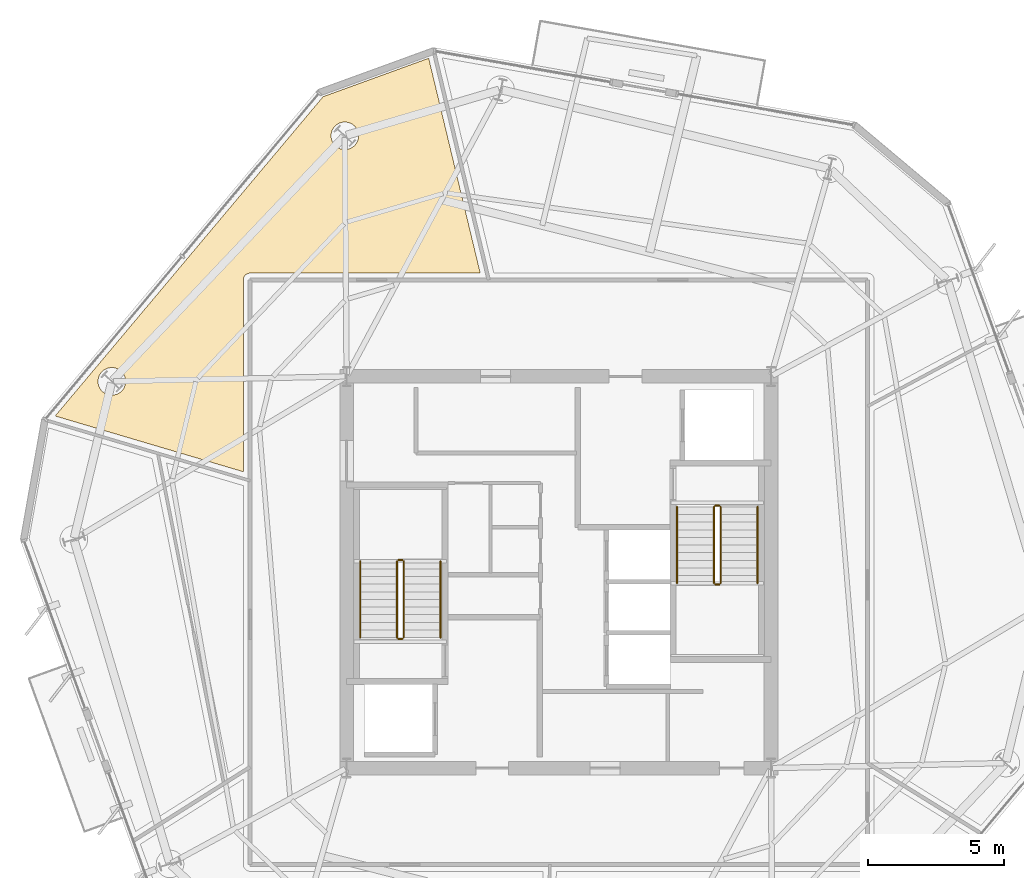
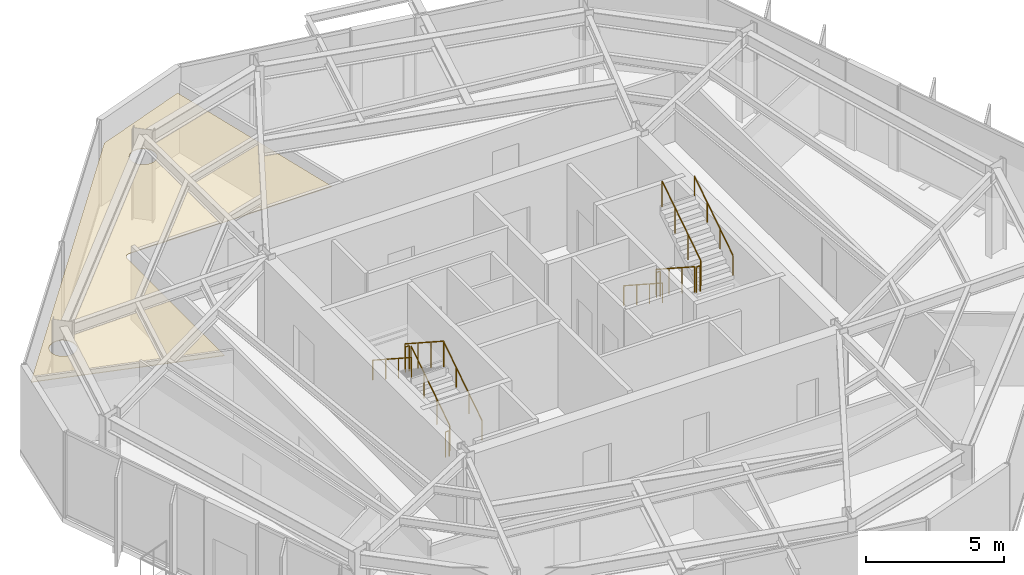
# One storey, part 10 of 11: 12 railings, 1 covering.
"""IFC4 building model written with IfcOpenShell, lengths in metres."""

from ifc_helpers import new_model, si_unit, direction, frame, origin, origin_2d, place, context, subcontext, project, spatial, polyline, circle, outline, extrude, material, layer, layer_set, type_object, element, save


model = new_model("IFC4")

# Units and contexts
model_context = context("Model", 3, precision=1e-05, world=origin(), true_north=direction((0.0, 1.0)))
body_context = subcontext(model_context, "Body", "Model", "MODEL_VIEW")
ifc_project = project(units=[si_unit("LENGTHUNIT", "METRE"), si_unit("AREAUNIT", "SQUARE_METRE"), si_unit("VOLUMEUNIT", "CUBIC_METRE"), si_unit("PLANEANGLEUNIT", "RADIAN"), si_unit("MASSUNIT", "GRAM", prefix="KILO")], contexts=[model_context])

# Site, building, storey
site_placement = place(None, origin())
site = spatial("IfcSite", under=ifc_project, at=site_placement, CompositionType="ELEMENT")
building_placement = place(site_placement, origin())
building = spatial("IfcBuilding", under=site, at=building_placement, Name="Kranzbogen Civic Tower", CompositionType="ELEMENT")
storey_placement = place(building_placement, frame((0.0, 0.0, 224.800048828125)))
storey = spatial("IfcBuildingStorey", under=building, at=storey_placement, Name="L54", CompositionType="ELEMENT", Elevation=224.800048828125)

# Railings
ifc_material_1 = material(Name="Steel S355", Category="steel")
railing_type_1 = type_object("IfcRailingType", Name="Internal Stair and Void Steel Guardrail 1150", PredefinedType="GUARDRAIL", material=ifc_material_1)
railing_1_placement = place(storey_placement, frame((19.300048828125, 22.60009765625, 0.181884765625)))
element("IfcRailing", 1, at=railing_1_placement, inside=storey, type_object=railing_type_1, Name="L54 ST-T1 stair guard 1", PredefinedType="GUARDRAIL", context=body_context, shape_type="SweptSolid", body=[
    extrude(circle(Radius=0.02392578125, at=origin_2d()), frame((0.0, 0.0, 1.1259765625), z_axis=(0.0, 0.83868413941, 0.544618136222), x_axis=(-1.0, 0.0, 0.0)), (0.0, 0.0, 1.0), 3.33837890625),
    extrude(circle(Radius=0.02099609375, at=origin_2d()), origin(), (0.0, 0.0, 1.0), 1.101806640625),
    extrude(circle(Radius=0.02099609375, at=origin_2d()), frame((0.0, 0.933349609375, 0.60595703125)), (0.0, 0.0, 1.0), 1.101806640625),
    extrude(circle(Radius=0.02099609375, at=origin_2d()), frame((0.0, 1.866455078125, 1.212158203125)), (0.0, 0.0, 1.0), 1.101806640625),
    extrude(circle(Radius=0.02099609375, at=origin_2d()), frame((0.0, 2.7998046875, 1.818115234375)), (0.0, 0.0, 1.0), 1.101806640625),
])
railing_2_placement = place(storey_placement, frame((19.25, 25.449951171875, 2.0)))
element("IfcRailing", 2, at=railing_2_placement, inside=storey, type_object=railing_type_1, Name="L54 ST-T1 stair guard 2", PredefinedType="GUARDRAIL", context=body_context, shape_type="SweptSolid", body=[
    extrude(circle(Radius=0.02392578125, at=origin_2d()), frame((0.0, 0.0, 1.1259765625), z_axis=(-1.0, 0.0, 0.0), x_axis=(0.0, -1.0, 0.0)), (0.0, 0.0, 1.0), 0.14990234375),
    extrude(circle(Radius=0.02099609375, at=origin_2d()), origin(), (0.0, 0.0, 1.0), 1.101806640625),
    extrude(circle(Radius=0.02099609375, at=origin_2d()), frame((-0.14990234375, 0.0, 0.0)), (0.0, 0.0, 1.0), 1.101806640625),
])
railing_3_placement = place(storey_placement, frame((19.050048828125, 25.39990234375, 2.181884765625)))
element("IfcRailing", 3, at=railing_3_placement, inside=storey, type_object=railing_type_1, Name="L54 ST-T1 stair guard 3", PredefinedType="GUARDRAIL", context=body_context, shape_type="SweptSolid", body=[
    extrude(circle(Radius=0.02392578125, at=origin_2d()), frame((0.0, 0.0, 1.1259765625), z_axis=(0.0, -0.83868413941, 0.544618136222), x_axis=(1.0, 0.0, 0.0)), (0.0, 0.0, 1.0), 3.33837890625),
    extrude(circle(Radius=0.02099609375, at=origin_2d()), origin(), (0.0, 0.0, 1.0), 1.101806640625),
    extrude(circle(Radius=0.02099609375, at=origin_2d()), frame((0.0, -0.933349609375, 0.60595703125)), (0.0, 0.0, 1.0), 1.101806640625),
    extrude(circle(Radius=0.02099609375, at=origin_2d()), frame((0.0, -1.866455078125, 1.212158203125)), (0.0, 0.0, 1.0), 1.101806640625),
    extrude(circle(Radius=0.02099609375, at=origin_2d()), frame((0.0, -2.7998046875, 1.818115234375)), (0.0, 0.0, 1.0), 1.101806640625),
])
railing_4_placement = place(storey_placement, frame((19.25, 22.550048828125, 0.0)))
element("IfcRailing", 4, at=railing_4_placement, inside=storey, type_object=railing_type_1, Name="L54 ST-T1 stair guard 4", PredefinedType="GUARDRAIL", context=body_context, shape_type="SweptSolid", body=[
    extrude(circle(Radius=0.02392578125, at=origin_2d()), frame((0.0, 0.0, 1.1259765625), z_axis=(-1.0, 0.0, 0.0), x_axis=(0.0, -1.0, 0.0)), (0.0, 0.0, 1.0), 0.14990234375),
    extrude(circle(Radius=0.02099609375, at=origin_2d()), origin(), (0.0, 0.0, 1.0), 1.101806640625),
    extrude(circle(Radius=0.02099609375, at=origin_2d()), frame((-0.14990234375, 0.0, 0.0)), (0.0, 0.0, 1.0), 1.101806640625),
])
railing_5_placement = place(storey_placement, frame((30.699951171875, 27.39990234375, 0.181884765625)))
element("IfcRailing", 5, at=railing_5_placement, inside=storey, type_object=railing_type_1, Name="L54 ST-T2 stair guard 1", PredefinedType="GUARDRAIL", context=body_context, shape_type="SweptSolid", body=[
    extrude(circle(Radius=0.02392578125, at=origin_2d()), frame((0.0, 0.0, 1.1259765625), z_axis=(0.0, -0.83868413941, 0.544618136222), x_axis=(1.0, 0.0, 0.0)), (0.0, 0.0, 1.0), 3.33837890625),
    extrude(circle(Radius=0.02099609375, at=origin_2d()), origin(), (0.0, 0.0, 1.0), 1.101806640625),
    extrude(circle(Radius=0.02099609375, at=origin_2d()), frame((0.0, -0.933349609375, 0.60595703125)), (0.0, 0.0, 1.0), 1.101806640625),
    extrude(circle(Radius=0.02099609375, at=origin_2d()), frame((0.0, -1.866455078125, 1.212158203125)), (0.0, 0.0, 1.0), 1.101806640625),
    extrude(circle(Radius=0.02099609375, at=origin_2d()), frame((0.0, -2.7998046875, 1.818115234375)), (0.0, 0.0, 1.0), 1.101806640625),
])
railing_6_placement = place(storey_placement, frame((30.75, 24.550048828125, 2.0)))
element("IfcRailing", 6, at=railing_6_placement, inside=storey, type_object=railing_type_1, Name="L54 ST-T2 stair guard 2", PredefinedType="GUARDRAIL", context=body_context, shape_type="SweptSolid", body=[
    extrude(circle(Radius=0.02392578125, at=origin_2d()), frame((0.0, 0.0, 1.1259765625), z_axis=(1.0, 0.0, 0.0), x_axis=(0.0, 1.0, 0.0)), (0.0, 0.0, 1.0), 0.14990234375),
    extrude(circle(Radius=0.02099609375, at=origin_2d()), origin(), (0.0, 0.0, 1.0), 1.101806640625),
    extrude(circle(Radius=0.02099609375, at=origin_2d()), frame((0.14990234375, 0.0, 0.0)), (0.0, 0.0, 1.0), 1.101806640625),
])
railing_7_placement = place(storey_placement, frame((30.949951171875, 24.60009765625, 2.181884765625)))
element("IfcRailing", 7, at=railing_7_placement, inside=storey, type_object=railing_type_1, Name="L54 ST-T2 stair guard 3", PredefinedType="GUARDRAIL", context=body_context, shape_type="SweptSolid", body=[
    extrude(circle(Radius=0.02392578125, at=origin_2d()), frame((0.0, 0.0, 1.1259765625), z_axis=(0.0, 0.83868413941, 0.544618136222), x_axis=(-1.0, 0.0, 0.0)), (0.0, 0.0, 1.0), 3.33837890625),
    extrude(circle(Radius=0.02099609375, at=origin_2d()), origin(), (0.0, 0.0, 1.0), 1.101806640625),
    extrude(circle(Radius=0.02099609375, at=origin_2d()), frame((0.0, 0.933349609375, 0.60595703125)), (0.0, 0.0, 1.0), 1.101806640625),
    extrude(circle(Radius=0.02099609375, at=origin_2d()), frame((0.0, 1.866455078125, 1.212158203125)), (0.0, 0.0, 1.0), 1.101806640625),
    extrude(circle(Radius=0.02099609375, at=origin_2d()), frame((0.0, 2.7998046875, 1.818115234375)), (0.0, 0.0, 1.0), 1.101806640625),
])
railing_8_placement = place(storey_placement, frame((30.75, 27.449951171875, 0.0)))
element("IfcRailing", 8, at=railing_8_placement, inside=storey, type_object=railing_type_1, Name="L54 ST-T2 stair guard 4", PredefinedType="GUARDRAIL", context=body_context, shape_type="SweptSolid", body=[
    extrude(circle(Radius=0.02392578125, at=origin_2d()), frame((0.0, 0.0, 1.1259765625), z_axis=(1.0, 0.0, 0.0), x_axis=(0.0, 1.0, 0.0)), (0.0, 0.0, 1.0), 0.14990234375),
    extrude(circle(Radius=0.02099609375, at=origin_2d()), origin(), (0.0, 0.0, 1.0), 1.101806640625),
    extrude(circle(Radius=0.02099609375, at=origin_2d()), frame((0.14990234375, 0.0, 0.0)), (0.0, 0.0, 1.0), 1.101806640625),
])

# Covering
ifc_material_2 = material(Name="Perforated Acoustic Gypsum Ceiling")
ifc_layer = layer(ifc_material_2, 0.02490234375, Name="Perforated Acoustic Gypsum Ceiling")
ifc_layer_set = layer_set([ifc_layer], Name="Perforated Acoustic Gypsum Ceiling")
covering_type = type_object("IfcCoveringType", Name="Perforated Acoustic Mineral Ceiling Tile 25 mm", PredefinedType="CEILING", material=ifc_layer_set)
covering_placement = place(storey_placement, frame((0.0, 0.0, 2.75)))
element("IfcCovering", 9, at=covering_placement, inside=storey, type_object=covering_type, Name="L54 Civic Reference Library acoustic ceiling", PredefinedType="CEILING", context=body_context, shape_type="SweptSolid", body=[
    extrude(outline(polyline([(20.216064453125, 43.89501953125), (22.111083984375, 35.9951171875), (13.64990234375, 35.9951171875), (13.64111328125, 35.9951171875), (13.635009765625, 35.993896484375), (13.616943359375, 35.992919921875), (13.611083984375, 35.991943359375), (13.593994140625, 35.988037109375), (13.5869140625, 35.987060546875), (13.570068359375, 35.98193359375), (13.56396484375, 35.97998046875), (13.548095703125, 35.972900390625), (13.5419921875, 35.969970703125), (13.527099609375, 35.9619140625), (13.52099609375, 35.9580078125), (13.507080078125, 35.948974609375), (13.501953125, 35.945068359375), (13.488037109375, 35.93408203125), (13.48291015625, 35.928955078125), (13.470947265625, 35.9169921875), (13.466064453125, 35.912109375), (13.455078125, 35.89794921875), (13.450927734375, 35.89306640625), (13.44189453125, 35.87890625), (13.43798828125, 35.873046875), (13.429931640625, 35.85791015625), (13.427001953125, 35.85205078125), (13.419921875, 35.8359375), (13.41796875, 35.830078125), (13.4130859375, 35.81298828125), (13.412109375, 35.805908203125), (13.407958984375, 35.7890625), (13.406982421875, 35.782958984375), (13.406005859375, 35.764892578125), (13.405029296875, 35.759033203125), (13.405029296875, 35.75), (13.405029296875, 28.693115234375), (6.485107421875, 30.743896484375), (16.3349609375, 42.48193359375), (20.216064453125, 43.89501953125)]), holes=[polyline([(9.035888671875, 31.822021484375), (9.013916015625, 31.777099609375), (8.989013671875, 31.73388671875), (8.958984375, 31.694091796875), (8.926025390625, 31.656982421875), (8.888916015625, 31.6240234375), (8.84912109375, 31.593994140625), (8.805908203125, 31.569091796875), (8.760986328125, 31.547119140625), (8.714111328125, 31.531005859375), (8.666015625, 31.51904296875), (8.616943359375, 31.510986328125), (8.56689453125, 31.509033203125), (8.51708984375, 31.510986328125), (8.468017578125, 31.51904296875), (8.419921875, 31.531005859375), (8.373046875, 31.547119140625), (8.327880859375, 31.569091796875), (8.284912109375, 31.593994140625), (8.2451171875, 31.6240234375), (8.2080078125, 31.656982421875), (8.175048828125, 31.694091796875), (8.14501953125, 31.73388671875), (8.1201171875, 31.777099609375), (8.097900390625, 31.822021484375), (8.08203125, 31.868896484375), (8.070068359375, 31.9169921875), (8.06201171875, 31.966064453125), (8.06005859375, 32.01611328125), (8.06201171875, 32.06591796875), (8.070068359375, 32.114990234375), (8.08203125, 32.1630859375), (8.097900390625, 32.2099609375), (8.1201171875, 32.2548828125), (8.14501953125, 32.298095703125), (8.175048828125, 32.337890625), (8.2080078125, 32.375), (8.2451171875, 32.407958984375), (8.284912109375, 32.43798828125), (8.327880859375, 32.462890625), (8.373046875, 32.485107421875), (8.419921875, 32.5009765625), (8.468017578125, 32.512939453125), (8.51708984375, 32.52099609375), (8.56689453125, 32.52294921875), (8.616943359375, 32.52099609375), (8.666015625, 32.512939453125), (8.714111328125, 32.5009765625), (8.760986328125, 32.485107421875), (8.805908203125, 32.462890625), (8.84912109375, 32.43798828125), (8.888916015625, 32.407958984375), (8.926025390625, 32.375), (8.958984375, 32.337890625), (8.989013671875, 32.298095703125), (9.013916015625, 32.2548828125), (9.035888671875, 32.2099609375), (9.052001953125, 32.1630859375), (9.06396484375, 32.114990234375), (9.072021484375, 32.06591796875), (9.073974609375, 32.01611328125), (9.072021484375, 31.966064453125), (9.06396484375, 31.9169921875), (9.052001953125, 31.868896484375), (9.035888671875, 31.822021484375)]), polyline([(17.60205078125, 40.85009765625), (17.580078125, 40.804931640625), (17.554931640625, 40.761962890625), (17.52490234375, 40.721923828125), (17.491943359375, 40.68505859375), (17.455078125, 40.652099609375), (17.4150390625, 40.6220703125), (17.3720703125, 40.596923828125), (17.326904296875, 40.574951171875), (17.280029296875, 40.55908203125), (17.23193359375, 40.547119140625), (17.18310546875, 40.5390625), (17.133056640625, 40.537109375), (17.0830078125, 40.5390625), (17.033935546875, 40.547119140625), (16.986083984375, 40.55908203125), (16.93896484375, 40.574951171875), (16.89404296875, 40.596923828125), (16.85107421875, 40.6220703125), (16.81103515625, 40.652099609375), (16.77392578125, 40.68505859375), (16.740966796875, 40.721923828125), (16.7109375, 40.761962890625), (16.68603515625, 40.804931640625), (16.6640625, 40.85009765625), (16.64794921875, 40.89697265625), (16.635986328125, 40.945068359375), (16.6279296875, 40.993896484375), (16.6259765625, 41.0439453125), (16.6279296875, 41.093994140625), (16.635986328125, 41.14306640625), (16.64794921875, 41.19091796875), (16.6640625, 41.238037109375), (16.68603515625, 41.282958984375), (16.7109375, 41.325927734375), (16.740966796875, 41.365966796875), (16.77392578125, 41.403076171875), (16.81103515625, 41.43603515625), (16.85107421875, 41.466064453125), (16.89404296875, 41.490966796875), (16.93896484375, 41.512939453125), (16.986083984375, 41.529052734375), (17.033935546875, 41.541015625), (17.0830078125, 41.549072265625), (17.133056640625, 41.551025390625), (17.18310546875, 41.549072265625), (17.23193359375, 41.541015625), (17.280029296875, 41.529052734375), (17.326904296875, 41.512939453125), (17.3720703125, 41.490966796875), (17.4150390625, 41.466064453125), (17.455078125, 41.43603515625), (17.491943359375, 41.403076171875), (17.52490234375, 41.365966796875), (17.554931640625, 41.325927734375), (17.580078125, 41.282958984375), (17.60205078125, 41.238037109375), (17.617919921875, 41.19091796875), (17.6298828125, 41.14306640625), (17.637939453125, 41.093994140625), (17.639892578125, 41.0439453125), (17.637939453125, 40.993896484375), (17.6298828125, 40.945068359375), (17.617919921875, 40.89697265625), (17.60205078125, 40.85009765625)])]), origin(), (0.0, 0.0, 1.0), 0.02490234375),
])

# Railings
ifc_material_3 = material(Name="Pale Anodised Aluminium", Category="aluminium")
railing_type_2 = type_object("IfcRailingType", Name="Tubular Stainless Stair Wall Handrail 900", PredefinedType="HANDRAIL", material=ifc_material_3)
railing_9_placement = place(storey_placement, frame((20.64990234375, 22.60009765625, 0.181884765625)))
element("IfcRailing", 10, at=railing_9_placement, inside=storey, type_object=railing_type_2, Name="L54 ST-T1 stair handrail 1", PredefinedType="HANDRAIL", context=body_context, shape_type="SweptSolid", body=[
    extrude(circle(Radius=0.02392578125, at=origin_2d()), frame((0.0, 0.0, 0.8759765625), z_axis=(0.0, 0.83868413941, 0.544618136222), x_axis=(-1.0, 0.0, 0.0)), (0.0, 0.0, 1.0), 3.33837890625),
    extrude(circle(Radius=0.02099609375, at=origin_2d()), origin(), (0.0, 0.0, 1.0), 0.851806640625),
    extrude(circle(Radius=0.02099609375, at=origin_2d()), frame((0.0, 0.933349609375, 0.60595703125)), (0.0, 0.0, 1.0), 0.851806640625),
    extrude(circle(Radius=0.02099609375, at=origin_2d()), frame((0.0, 1.866455078125, 1.212158203125)), (0.0, 0.0, 1.0), 0.851806640625),
    extrude(circle(Radius=0.02099609375, at=origin_2d()), frame((0.0, 2.7998046875, 1.818115234375)), (0.0, 0.0, 1.0), 0.851806640625),
])
for number, where, name in (
    (11, (17.699951171875, 25.39990234375, 2.181884765625), "L54 ST-T1 stair handrail 2"),
    (12, (29.35009765625, 27.39990234375, 0.181884765625), "L54 ST-T2 stair handrail 1"),
):
    element("IfcRailing", number, at=place(storey_placement, frame(where)), inside=storey, type_object=railing_type_2, Name=name, PredefinedType="HANDRAIL", context=body_context, shape_type="SweptSolid", body=[
        extrude(circle(Radius=0.02392578125, at=origin_2d()), frame((0.0, 0.0, 0.8759765625), z_axis=(0.0, -0.83868413941, 0.544618136222), x_axis=(1.0, 0.0, 0.0)), (0.0, 0.0, 1.0), 3.33837890625),
        extrude(circle(Radius=0.02099609375, at=origin_2d()), origin(), (0.0, 0.0, 1.0), 0.851806640625),
        extrude(circle(Radius=0.02099609375, at=origin_2d()), frame((0.0, -0.933349609375, 0.60595703125)), (0.0, 0.0, 1.0), 0.851806640625),
        extrude(circle(Radius=0.02099609375, at=origin_2d()), frame((0.0, -1.866455078125, 1.212158203125)), (0.0, 0.0, 1.0), 0.851806640625),
        extrude(circle(Radius=0.02099609375, at=origin_2d()), frame((0.0, -2.7998046875, 1.818115234375)), (0.0, 0.0, 1.0), 0.851806640625),
    ])
railing_10_placement = place(storey_placement, frame((32.300048828125, 24.60009765625, 2.181884765625)))
element("IfcRailing", 13, at=railing_10_placement, inside=storey, type_object=railing_type_2, Name="L54 ST-T2 stair handrail 2", PredefinedType="HANDRAIL", context=body_context, shape_type="SweptSolid", body=[
    extrude(circle(Radius=0.02392578125, at=origin_2d()), frame((0.0, 0.0, 0.8759765625), z_axis=(0.0, 0.83868413941, 0.544618136222), x_axis=(-1.0, 0.0, 0.0)), (0.0, 0.0, 1.0), 3.33837890625),
    extrude(circle(Radius=0.02099609375, at=origin_2d()), origin(), (0.0, 0.0, 1.0), 0.851806640625),
    extrude(circle(Radius=0.02099609375, at=origin_2d()), frame((0.0, 0.933349609375, 0.60595703125)), (0.0, 0.0, 1.0), 0.851806640625),
    extrude(circle(Radius=0.02099609375, at=origin_2d()), frame((0.0, 1.866455078125, 1.212158203125)), (0.0, 0.0, 1.0), 0.851806640625),
    extrude(circle(Radius=0.02099609375, at=origin_2d()), frame((0.0, 2.7998046875, 1.818115234375)), (0.0, 0.0, 1.0), 0.851806640625),
])

save(model, "model.ifc")
